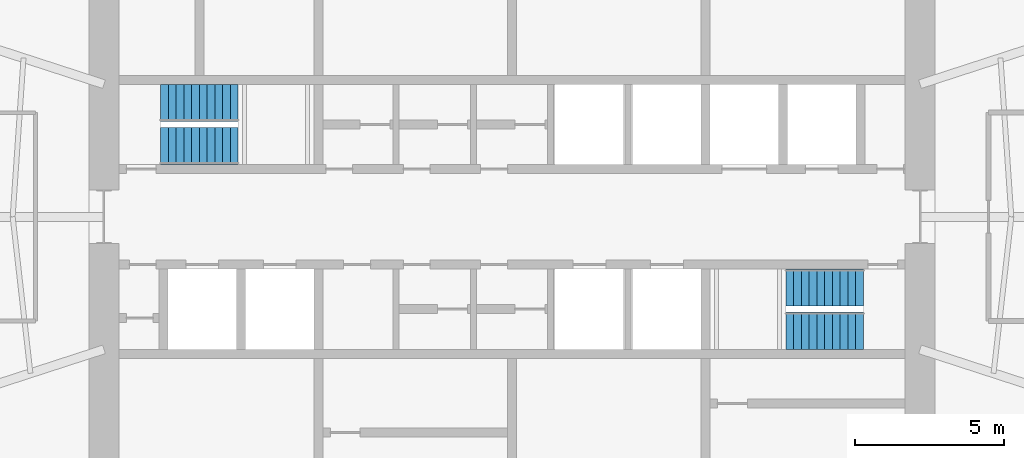
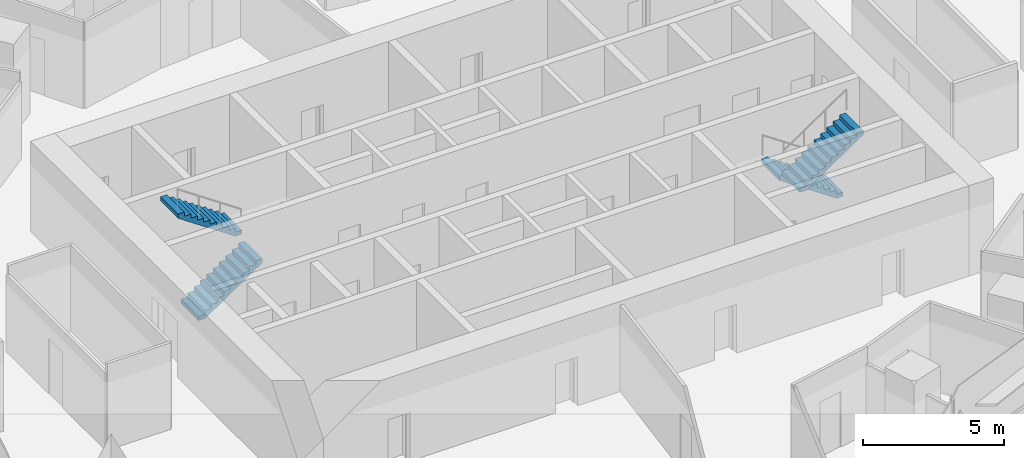
# One storey, part 13 of 15: 4 stair flights, 2 elements without a shape of their own.
"""IFC4 building model written with IfcOpenShell, lengths in metres."""

from ifc_helpers import new_model, si_unit, direction, frame, origin, place, context, subcontext, project, spatial, polyline, outline, extrude, material, type_object, element, aggregate, save


model = new_model("IFC4")

# Units and contexts
model_context = context("Model", 3, precision=1e-05, world=origin(), true_north=direction((0.0, 1.0)))
body_context = subcontext(model_context, "Body", "Model", "MODEL_VIEW")
ifc_project = project(units=[si_unit("LENGTHUNIT", "METRE"), si_unit("AREAUNIT", "SQUARE_METRE"), si_unit("VOLUMEUNIT", "CUBIC_METRE"), si_unit("PLANEANGLEUNIT", "RADIAN"), si_unit("MASSUNIT", "GRAM", prefix="KILO")], contexts=[model_context])

# Site, building, storey
site_placement = place(None, origin())
site = spatial("IfcSite", under=ifc_project, at=site_placement, CompositionType="ELEMENT")
building_placement = place(site_placement, origin())
building = spatial("IfcBuilding", under=site, at=building_placement, Name="Marramba Exchange Tower", CompositionType="ELEMENT")
storey_placement = place(building_placement, frame((0.0, 0.0, 187.699951171875)))
storey = spatial("IfcBuildingStorey", under=building, at=storey_placement, Name="L45", CompositionType="ELEMENT", Elevation=187.699951171875)

# Stair, stair flights
ifc_material = material(Name="Concrete N40 (40 MPa)", Category="concrete")
stair_type_1 = type_object("IfcStairType", Name="Exit stair ST1 3900 x 1250", PredefinedType="HALF_TURN_STAIR", material=ifc_material)
stair_1_placement = place(storey_placement, origin())
stair_1 = element("IfcStair", 1, at=stair_1_placement, inside=storey, type_object=stair_type_1, Name="Exit stair ST1 L45", PredefinedType="HALF_TURN_STAIR")
stair_flight_type_1 = type_object("IfcStairFlightType", Name="ST1 stair flight 1773 riser 1250 wide", PredefinedType="STRAIGHT", material=ifc_material)
stair_flight_1_placement = place(storey_placement, frame((-11.800048828125, 2.375, 0.0), z_axis=(0.0, 0.0, 1.0), x_axis=(1.0, 0.0, 0.0)))
stair_flight_1 = element("IfcStairFlight", 2, at=stair_flight_1_placement, type_object=stair_flight_type_1, Name="ST1 flight 1", NumberOfRisers=11, NumberOfTreads=10, PredefinedType="STRAIGHT", RiserHeight=0.177272727, TreadLength=0.26, context=body_context, shape_type="SweptSolid", body=[
    extrude(outline(polyline([(0.0, 0.0), (0.0, 0.17724609375), (0.260009765625, 0.17724609375), (0.260009765625, 0.3544921875), (0.52001953125, 0.3544921875), (0.52001953125, 0.53173828125), (0.780029296875, 0.53173828125), (0.780029296875, 0.708984375), (1.0400390625, 0.708984375), (1.0400390625, 0.886474609375), (1.300048828125, 0.886474609375), (1.300048828125, 1.063720703125), (1.56005859375, 1.063720703125), (1.56005859375, 1.240966796875), (1.820068359375, 1.240966796875), (1.820068359375, 1.418212890625), (2.080078125, 1.418212890625), (2.080078125, 1.595458984375), (2.340087890625, 1.595458984375), (2.340087890625, 1.772705078125), (2.60009765625, 1.772705078125), (2.60009765625, 1.949951171875), (2.60009765625, 1.59130859375), (0.26611328125, 0.0), (0.0, 0.0)])), frame((0.0, 0.625, 0.0), z_axis=(0.0, -1.0, 0.0), x_axis=(1.0, 0.0, 0.0)), (0.0, 0.0, 1.0), 1.25),
])
stair_flight_2_placement = place(storey_placement, frame((-9.199951171875, 3.824951171875, 1.949951171875), z_axis=(0.0, 0.0, 1.0), x_axis=(-1.0, 0.0, 0.0)))
stair_flight_2 = element("IfcStairFlight", 3, at=stair_flight_2_placement, type_object=stair_flight_type_1, Name="ST1 flight 2", NumberOfRisers=11, NumberOfTreads=10, PredefinedType="STRAIGHT", RiserHeight=0.177272727, TreadLength=0.26, context=body_context, shape_type="SweptSolid", body=[
    extrude(outline(polyline([(0.0, 0.0), (0.0, 0.17724609375), (0.260009765625, 0.17724609375), (0.260009765625, 0.3544921875), (0.52001953125, 0.3544921875), (0.52001953125, 0.53173828125), (0.780029296875, 0.53173828125), (0.780029296875, 0.708984375), (1.0400390625, 0.708984375), (1.0400390625, 0.886474609375), (1.300048828125, 0.886474609375), (1.300048828125, 1.063720703125), (1.56005859375, 1.063720703125), (1.56005859375, 1.240966796875), (1.820068359375, 1.240966796875), (1.820068359375, 1.418212890625), (2.080078125, 1.418212890625), (2.080078125, 1.595458984375), (2.340087890625, 1.595458984375), (2.340087890625, 1.772705078125), (2.60009765625, 1.772705078125), (2.60009765625, 1.949951171875), (2.60009765625, 1.59130859375), (0.26611328125, 0.0), (0.0, 0.0)])), frame((0.0, 0.625, 0.0), z_axis=(0.0, -1.0, 0.0), x_axis=(1.0, 0.0, 0.0)), (0.0, 0.0, 1.0), 1.25),
])
aggregate(stair_1, [stair_flight_1, stair_flight_2])

stair_type_2 = type_object("IfcStairType", Name="Exit stair ST2 3900 x 1250", PredefinedType="HALF_TURN_STAIR", material=ifc_material)
stair_2_placement = place(storey_placement, origin())
stair_2 = element("IfcStair", 4, at=stair_2_placement, inside=storey, type_object=stair_type_2, Name="Exit stair ST2 L45", PredefinedType="HALF_TURN_STAIR")
stair_flight_type_2 = type_object("IfcStairFlightType", Name="ST2 stair flight 1773 riser 1250 wide", PredefinedType="STRAIGHT", material=ifc_material)
stair_flight_3_placement = place(storey_placement, frame((11.800048828125, -2.375, 0.0), z_axis=(0.0, 0.0, 1.0), x_axis=(-1.0, 0.0, 0.0)))
stair_flight_3 = element("IfcStairFlight", 5, at=stair_flight_3_placement, type_object=stair_flight_type_2, Name="ST2 flight 1", NumberOfRisers=11, NumberOfTreads=10, PredefinedType="STRAIGHT", RiserHeight=0.177272727, TreadLength=0.26, context=body_context, shape_type="SweptSolid", body=[
    extrude(outline(polyline([(0.0, 0.0), (0.0, 0.17724609375), (0.260009765625, 0.17724609375), (0.260009765625, 0.3544921875), (0.52001953125, 0.3544921875), (0.52001953125, 0.53173828125), (0.780029296875, 0.53173828125), (0.780029296875, 0.708984375), (1.0400390625, 0.708984375), (1.0400390625, 0.886474609375), (1.300048828125, 0.886474609375), (1.300048828125, 1.063720703125), (1.56005859375, 1.063720703125), (1.56005859375, 1.240966796875), (1.820068359375, 1.240966796875), (1.820068359375, 1.418212890625), (2.080078125, 1.418212890625), (2.080078125, 1.595458984375), (2.340087890625, 1.595458984375), (2.340087890625, 1.772705078125), (2.60009765625, 1.772705078125), (2.60009765625, 1.949951171875), (2.60009765625, 1.59130859375), (0.26611328125, 0.0), (0.0, 0.0)])), frame((0.0, 0.625, 0.0), z_axis=(0.0, -1.0, 0.0), x_axis=(1.0, 0.0, 0.0)), (0.0, 0.0, 1.0), 1.25),
])
stair_flight_4_placement = place(storey_placement, frame((9.199951171875, -3.824951171875, 1.949951171875), z_axis=(0.0, 0.0, 1.0), x_axis=(1.0, 0.0, 0.0)))
stair_flight_4 = element("IfcStairFlight", 6, at=stair_flight_4_placement, type_object=stair_flight_type_2, Name="ST2 flight 2", NumberOfRisers=11, NumberOfTreads=10, PredefinedType="STRAIGHT", RiserHeight=0.177272727, TreadLength=0.26, context=body_context, shape_type="SweptSolid", body=[
    extrude(outline(polyline([(0.0, 0.0), (0.0, 0.17724609375), (0.260009765625, 0.17724609375), (0.260009765625, 0.3544921875), (0.52001953125, 0.3544921875), (0.52001953125, 0.53173828125), (0.780029296875, 0.53173828125), (0.780029296875, 0.708984375), (1.0400390625, 0.708984375), (1.0400390625, 0.886474609375), (1.300048828125, 0.886474609375), (1.300048828125, 1.063720703125), (1.56005859375, 1.063720703125), (1.56005859375, 1.240966796875), (1.820068359375, 1.240966796875), (1.820068359375, 1.418212890625), (2.080078125, 1.418212890625), (2.080078125, 1.595458984375), (2.340087890625, 1.595458984375), (2.340087890625, 1.772705078125), (2.60009765625, 1.772705078125), (2.60009765625, 1.949951171875), (2.60009765625, 1.59130859375), (0.26611328125, 0.0), (0.0, 0.0)])), frame((0.0, 0.625, 0.0), z_axis=(0.0, -1.0, 0.0), x_axis=(1.0, 0.0, 0.0)), (0.0, 0.0, 1.0), 1.25),
])
aggregate(stair_2, [stair_flight_3, stair_flight_4])

save(model, "model.ifc")
